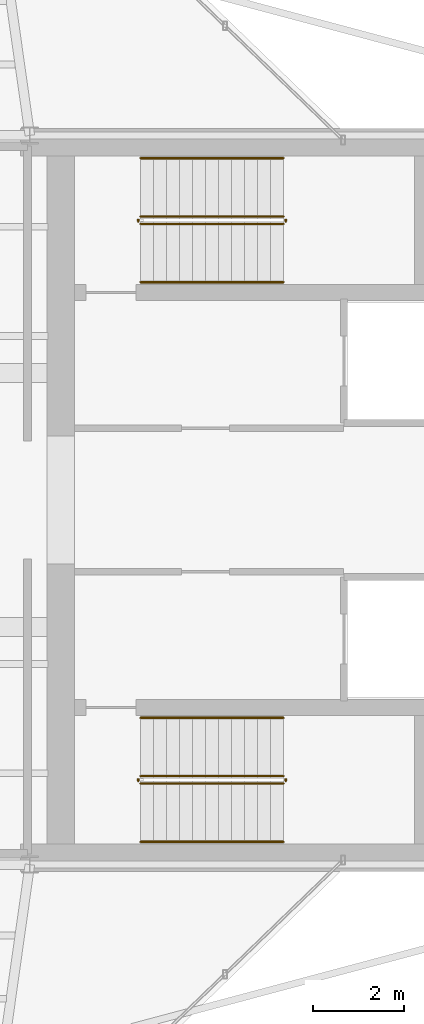
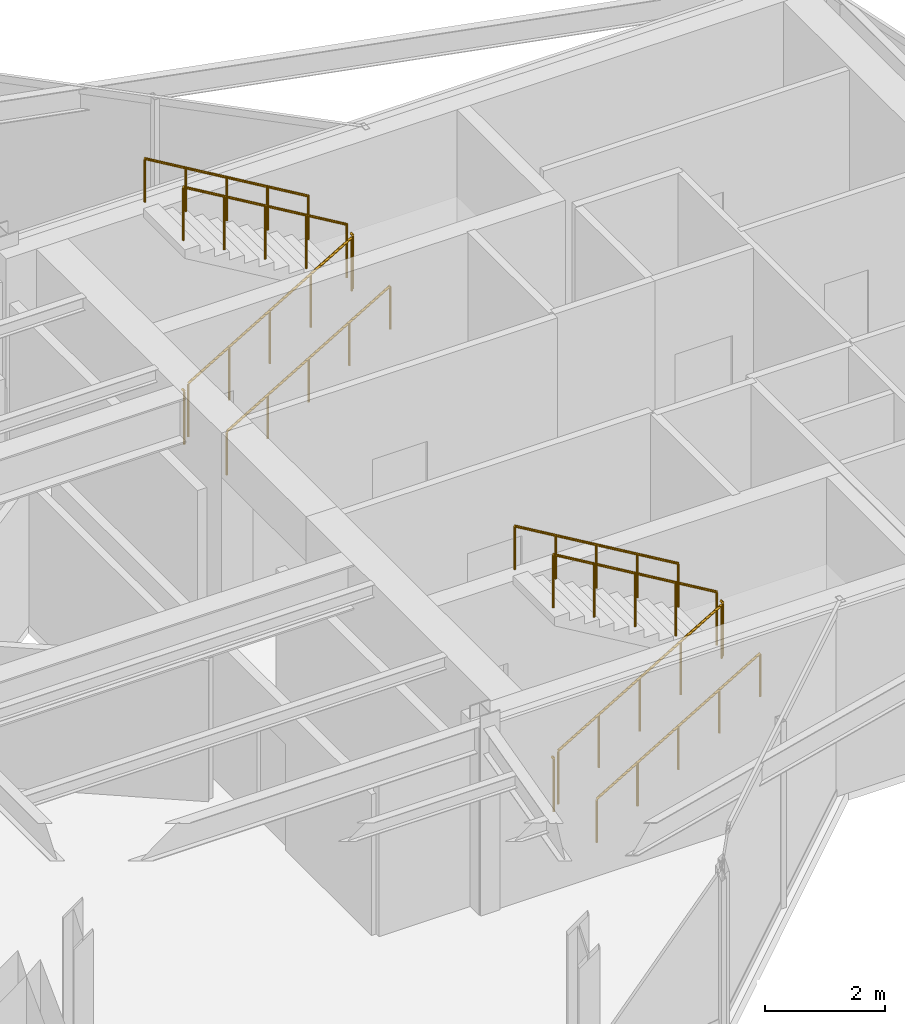
# One storey, part 16 of 16: 12 railings.
"""IFC4 building model written with IfcOpenShell, lengths in metres."""

from ifc_helpers import new_model, si_unit, direction, frame, origin, origin_2d, place, context, subcontext, project, spatial, circle, extrude, material, type_object, element, save


model = new_model("IFC4")

# Units and contexts
model_context = context("Model", 3, precision=1e-05, world=origin(), true_north=direction((0.0, 1.0)))
body_context = subcontext(model_context, "Body", "Model", "MODEL_VIEW")
ifc_project = project(units=[si_unit("LENGTHUNIT", "METRE"), si_unit("AREAUNIT", "SQUARE_METRE"), si_unit("VOLUMEUNIT", "CUBIC_METRE"), si_unit("PLANEANGLEUNIT", "RADIAN"), si_unit("MASSUNIT", "GRAM", prefix="KILO")], contexts=[model_context])

# Site, building, storey
site_placement = place(None, origin())
site = spatial("IfcSite", under=ifc_project, at=site_placement, CompositionType="ELEMENT")
building_placement = place(site_placement, origin())
building = spatial("IfcBuilding", under=site, at=building_placement, Name="Veymaron Broadcast Tower", CompositionType="ELEMENT")
storey_placement = place(building_placement, frame((0.0, 0.0, 315.449951171875)))
storey = spatial("IfcBuildingStorey", under=building, at=storey_placement, Name="L74", CompositionType="ELEMENT", Elevation=315.449951171875)

# Railings
ifc_material_1 = material(Name="Brushed stainless steel AISI 304", Category="steel")
railing_type_1 = type_object("IfcRailingType", Name="RAIL-STAIR-HR", PredefinedType="HANDRAIL", material=ifc_material_1)
railing_1_placement = place(storey_placement, frame((41.429931640625, 28.780029296875, 0.168701171875)))
element("IfcRailing", 1, at=railing_1_placement, inside=storey, type_object=railing_type_1, Name="L74 ST1 stair handrail 1", PredefinedType="HANDRAIL", context=body_context, shape_type="SweptSolid", body=[
    extrude(circle(Radius=0.02392578125, at=origin_2d()), frame((0.0, 0.0, 0.8759765625), z_axis=(0.860452582533, 0.0, 0.509530522356), x_axis=(0.0, 1.0, 0.0)), (0.0, 0.0, 1.0), 3.6435546875),
    extrude(circle(Radius=0.02099609375, at=origin_2d()), origin(), (0.0, 0.0, 1.0), 0.851806640625),
    extrude(circle(Radius=0.02099609375, at=origin_2d()), frame((0.78369140625, 0.0, 0.464111328125)), (0.0, 0.0, 1.0), 0.851806640625),
    extrude(circle(Radius=0.02099609375, at=origin_2d()), frame((1.5673828125, 0.0, 0.92822265625)), (0.0, 0.0, 1.0), 0.851806640625),
    extrude(circle(Radius=0.02099609375, at=origin_2d()), frame((2.351318359375, 0.0, 1.392333984375)), (0.0, 0.0, 1.0), 0.851806640625),
    extrude(circle(Radius=0.02099609375, at=origin_2d()), frame((3.135009765625, 0.0, 1.8564453125)), (0.0, 0.0, 1.0), 0.851806640625),
])
railing_2_placement = place(storey_placement, frame((44.56494140625, 31.5, 2.19384765625)))
element("IfcRailing", 2, at=railing_2_placement, inside=storey, type_object=railing_type_1, Name="L74 ST1 stair handrail 2", PredefinedType="HANDRAIL", context=body_context, shape_type="SweptSolid", body=[
    extrude(circle(Radius=0.02392578125, at=origin_2d()), frame((0.0, 0.0, 0.8759765625), z_axis=(-0.860481960309, 0.0, 0.509480908359), x_axis=(0.0, -1.0, 0.0)), (0.0, 0.0, 1.0), 3.643310546875),
    extrude(circle(Radius=0.02099609375, at=origin_2d()), origin(), (0.0, 0.0, 1.0), 0.851806640625),
    extrude(circle(Radius=0.02099609375, at=origin_2d()), frame((-0.78369140625, 0.0, 0.464111328125)), (0.0, 0.0, 1.0), 0.851806640625),
    extrude(circle(Radius=0.02099609375, at=origin_2d()), frame((-1.5673828125, 0.0, 0.92822265625)), (0.0, 0.0, 1.0), 0.851806640625),
    extrude(circle(Radius=0.02099609375, at=origin_2d()), frame((-2.351318359375, 0.0, 1.39208984375)), (0.0, 0.0, 1.0), 0.851806640625),
    extrude(circle(Radius=0.02099609375, at=origin_2d()), frame((-3.135009765625, 0.0, 1.856201171875)), (0.0, 0.0, 1.0), 0.851806640625),
])
railing_3_placement = place(storey_placement, frame((41.429931640625, 16.5, 0.168701171875)))
element("IfcRailing", 3, at=railing_3_placement, inside=storey, type_object=railing_type_1, Name="L74 ST2 stair handrail 1", PredefinedType="HANDRAIL", context=body_context, shape_type="SweptSolid", body=[
    extrude(circle(Radius=0.02392578125, at=origin_2d()), frame((0.0, 0.0, 0.8759765625), z_axis=(0.860452582533, 0.0, 0.509530522356), x_axis=(0.0, 1.0, 0.0)), (0.0, 0.0, 1.0), 3.6435546875),
    extrude(circle(Radius=0.02099609375, at=origin_2d()), origin(), (0.0, 0.0, 1.0), 0.851806640625),
    extrude(circle(Radius=0.02099609375, at=origin_2d()), frame((0.78369140625, 0.0, 0.464111328125)), (0.0, 0.0, 1.0), 0.851806640625),
    extrude(circle(Radius=0.02099609375, at=origin_2d()), frame((1.5673828125, 0.0, 0.92822265625)), (0.0, 0.0, 1.0), 0.851806640625),
    extrude(circle(Radius=0.02099609375, at=origin_2d()), frame((2.351318359375, 0.0, 1.392333984375)), (0.0, 0.0, 1.0), 0.851806640625),
    extrude(circle(Radius=0.02099609375, at=origin_2d()), frame((3.135009765625, 0.0, 1.8564453125)), (0.0, 0.0, 1.0), 0.851806640625),
])
railing_4_placement = place(storey_placement, frame((44.56494140625, 19.219970703125, 2.19384765625)))
element("IfcRailing", 4, at=railing_4_placement, inside=storey, type_object=railing_type_1, Name="L74 ST2 stair handrail 2", PredefinedType="HANDRAIL", context=body_context, shape_type="SweptSolid", body=[
    extrude(circle(Radius=0.02392578125, at=origin_2d()), frame((0.0, 0.0, 0.8759765625), z_axis=(-0.860481960309, 0.0, 0.509480908359), x_axis=(0.0, -1.0, 0.0)), (0.0, 0.0, 1.0), 3.643310546875),
    extrude(circle(Radius=0.02099609375, at=origin_2d()), origin(), (0.0, 0.0, 1.0), 0.851806640625),
    extrude(circle(Radius=0.02099609375, at=origin_2d()), frame((-0.78369140625, 0.0, 0.464111328125)), (0.0, 0.0, 1.0), 0.851806640625),
    extrude(circle(Radius=0.02099609375, at=origin_2d()), frame((-1.5673828125, 0.0, 0.92822265625)), (0.0, 0.0, 1.0), 0.851806640625),
    extrude(circle(Radius=0.02099609375, at=origin_2d()), frame((-2.351318359375, 0.0, 1.39208984375)), (0.0, 0.0, 1.0), 0.851806640625),
    extrude(circle(Radius=0.02099609375, at=origin_2d()), frame((-3.135009765625, 0.0, 1.856201171875)), (0.0, 0.0, 1.0), 0.851806640625),
])
ifc_material_2 = material(Name="Painted galvanized steel balustrade", Category="steel")
railing_type_2 = type_object("IfcRailingType", Name="RAIL-WELL-GRD", PredefinedType="GUARDRAIL", material=ifc_material_2)
railing_5_placement = place(storey_placement, frame((41.429931640625, 30.06005859375, 0.168701171875)))
element("IfcRailing", 5, at=railing_5_placement, inside=storey, type_object=railing_type_2, Name="L74 ST1 stair guard 1", PredefinedType="GUARDRAIL", context=body_context, shape_type="SweptSolid", body=[
    extrude(circle(Radius=0.02392578125, at=origin_2d()), frame((0.0, 0.0, 1.076171875), z_axis=(0.860452582533, 0.0, 0.509530522356), x_axis=(0.0, 1.0, 0.0)), (0.0, 0.0, 1.0), 3.6435546875),
    extrude(circle(Radius=0.02099609375, at=origin_2d()), origin(), (0.0, 0.0, 1.0), 1.052001953125),
    extrude(circle(Radius=0.02099609375, at=origin_2d()), frame((0.78369140625, 0.0, 0.464111328125)), (0.0, 0.0, 1.0), 1.052001953125),
    extrude(circle(Radius=0.02099609375, at=origin_2d()), frame((1.5673828125, 0.0, 0.92822265625)), (0.0, 0.0, 1.0), 1.052001953125),
    extrude(circle(Radius=0.02099609375, at=origin_2d()), frame((2.351318359375, 0.0, 1.392333984375)), (0.0, 0.0, 1.0), 1.052001953125),
    extrude(circle(Radius=0.02099609375, at=origin_2d()), frame((3.135009765625, 0.0, 1.8564453125)), (0.0, 0.0, 1.0), 1.052001953125),
])
railing_6_placement = place(storey_placement, frame((44.614990234375, 30.110107421875, 2.025146484375)))
element("IfcRailing", 6, at=railing_6_placement, inside=storey, type_object=railing_type_2, Name="L74 ST1 stair guard 2", PredefinedType="GUARDRAIL", context=body_context, shape_type="SweptSolid", body=[
    extrude(circle(Radius=0.02392578125, at=origin_2d()), frame((0.0, 0.0, 1.076171875), z_axis=(0.0, 1.0, 0.0), x_axis=(-1.0, 0.0, 0.0)), (0.0, 0.0, 1.0), 0.059814453125),
    extrude(circle(Radius=0.02099609375, at=origin_2d()), origin(), (0.0, 0.0, 1.0), 1.052001953125),
])
railing_7_placement = place(storey_placement, frame((44.56494140625, 30.219970703125, 2.19384765625)))
element("IfcRailing", 7, at=railing_7_placement, inside=storey, type_object=railing_type_2, Name="L74 ST1 stair guard 3", PredefinedType="GUARDRAIL", context=body_context, shape_type="SweptSolid", body=[
    extrude(circle(Radius=0.02392578125, at=origin_2d()), frame((0.0, 0.0, 1.076171875), z_axis=(-0.860481960309, 0.0, 0.509480908359), x_axis=(0.0, -1.0, 0.0)), (0.0, 0.0, 1.0), 3.643310546875),
    extrude(circle(Radius=0.02099609375, at=origin_2d()), origin(), (0.0, 0.0, 1.0), 1.052001953125),
    extrude(circle(Radius=0.02099609375, at=origin_2d()), frame((-0.78369140625, 0.0, 0.464111328125)), (0.0, 0.0, 1.0), 1.052001953125),
    extrude(circle(Radius=0.02099609375, at=origin_2d()), frame((-1.5673828125, 0.0, 0.92822265625)), (0.0, 0.0, 1.0), 1.052001953125),
    extrude(circle(Radius=0.02099609375, at=origin_2d()), frame((-2.351318359375, 0.0, 1.39208984375)), (0.0, 0.0, 1.0), 1.052001953125),
    extrude(circle(Radius=0.02099609375, at=origin_2d()), frame((-3.135009765625, 0.0, 1.856201171875)), (0.0, 0.0, 1.0), 1.052001953125),
])
railing_8_placement = place(storey_placement, frame((41.3798828125, 30.110107421875, 0.0)))
element("IfcRailing", 8, at=railing_8_placement, inside=storey, type_object=railing_type_2, Name="L74 ST1 stair guard 4", PredefinedType="GUARDRAIL", context=body_context, shape_type="SweptSolid", body=[
    extrude(circle(Radius=0.02392578125, at=origin_2d()), frame((0.0, 0.0, 1.076171875), z_axis=(0.0, 1.0, 0.0), x_axis=(-1.0, 0.0, 0.0)), (0.0, 0.0, 1.0), 0.059814453125),
    extrude(circle(Radius=0.02099609375, at=origin_2d()), origin(), (0.0, 0.0, 1.0), 1.052001953125),
])
railing_9_placement = place(storey_placement, frame((41.429931640625, 17.780029296875, 0.168701171875)))
element("IfcRailing", 9, at=railing_9_placement, inside=storey, type_object=railing_type_2, Name="L74 ST2 stair guard 1", PredefinedType="GUARDRAIL", context=body_context, shape_type="SweptSolid", body=[
    extrude(circle(Radius=0.02392578125, at=origin_2d()), frame((0.0, 0.0, 1.076171875), z_axis=(0.860452582533, 0.0, 0.509530522356), x_axis=(0.0, 1.0, 0.0)), (0.0, 0.0, 1.0), 3.6435546875),
    extrude(circle(Radius=0.02099609375, at=origin_2d()), origin(), (0.0, 0.0, 1.0), 1.052001953125),
    extrude(circle(Radius=0.02099609375, at=origin_2d()), frame((0.78369140625, 0.0, 0.464111328125)), (0.0, 0.0, 1.0), 1.052001953125),
    extrude(circle(Radius=0.02099609375, at=origin_2d()), frame((1.5673828125, 0.0, 0.92822265625)), (0.0, 0.0, 1.0), 1.052001953125),
    extrude(circle(Radius=0.02099609375, at=origin_2d()), frame((2.351318359375, 0.0, 1.392333984375)), (0.0, 0.0, 1.0), 1.052001953125),
    extrude(circle(Radius=0.02099609375, at=origin_2d()), frame((3.135009765625, 0.0, 1.8564453125)), (0.0, 0.0, 1.0), 1.052001953125),
])
railing_10_placement = place(storey_placement, frame((44.614990234375, 17.830078125, 2.025146484375)))
element("IfcRailing", 10, at=railing_10_placement, inside=storey, type_object=railing_type_2, Name="L74 ST2 stair guard 2", PredefinedType="GUARDRAIL", context=body_context, shape_type="SweptSolid", body=[
    extrude(circle(Radius=0.02392578125, at=origin_2d()), frame((0.0, 0.0, 1.076171875), z_axis=(0.0, 1.0, 0.0), x_axis=(-1.0, 0.0, 0.0)), (0.0, 0.0, 1.0), 0.059814453125),
    extrude(circle(Radius=0.02099609375, at=origin_2d()), origin(), (0.0, 0.0, 1.0), 1.052001953125),
])
railing_11_placement = place(storey_placement, frame((44.56494140625, 17.93994140625, 2.19384765625)))
element("IfcRailing", 11, at=railing_11_placement, inside=storey, type_object=railing_type_2, Name="L74 ST2 stair guard 3", PredefinedType="GUARDRAIL", context=body_context, shape_type="SweptSolid", body=[
    extrude(circle(Radius=0.02392578125, at=origin_2d()), frame((0.0, 0.0, 1.076171875), z_axis=(-0.860481960309, 0.0, 0.509480908359), x_axis=(0.0, -1.0, 0.0)), (0.0, 0.0, 1.0), 3.643310546875),
    extrude(circle(Radius=0.02099609375, at=origin_2d()), origin(), (0.0, 0.0, 1.0), 1.052001953125),
    extrude(circle(Radius=0.02099609375, at=origin_2d()), frame((-0.78369140625, 0.0, 0.464111328125)), (0.0, 0.0, 1.0), 1.052001953125),
    extrude(circle(Radius=0.02099609375, at=origin_2d()), frame((-1.5673828125, 0.0, 0.92822265625)), (0.0, 0.0, 1.0), 1.052001953125),
    extrude(circle(Radius=0.02099609375, at=origin_2d()), frame((-2.351318359375, 0.0, 1.39208984375)), (0.0, 0.0, 1.0), 1.052001953125),
    extrude(circle(Radius=0.02099609375, at=origin_2d()), frame((-3.135009765625, 0.0, 1.856201171875)), (0.0, 0.0, 1.0), 1.052001953125),
])
railing_12_placement = place(storey_placement, frame((41.3798828125, 17.830078125, 0.0)))
element("IfcRailing", 12, at=railing_12_placement, inside=storey, type_object=railing_type_2, Name="L74 ST2 stair guard 4", PredefinedType="GUARDRAIL", context=body_context, shape_type="SweptSolid", body=[
    extrude(circle(Radius=0.02392578125, at=origin_2d()), frame((0.0, 0.0, 1.076171875), z_axis=(0.0, 1.0, 0.0), x_axis=(-1.0, 0.0, 0.0)), (0.0, 0.0, 1.0), 0.059814453125),
    extrude(circle(Radius=0.02099609375, at=origin_2d()), origin(), (0.0, 0.0, 1.0), 1.052001953125),
])

save(model, "model.ifc")
